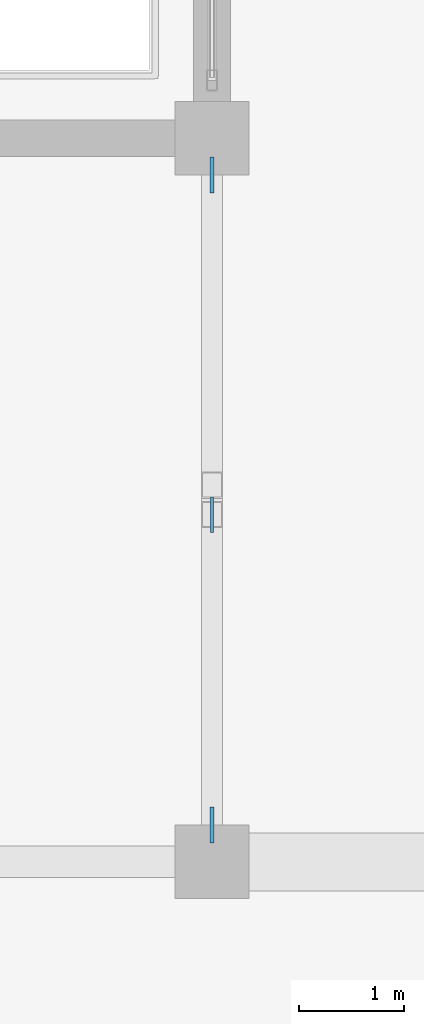
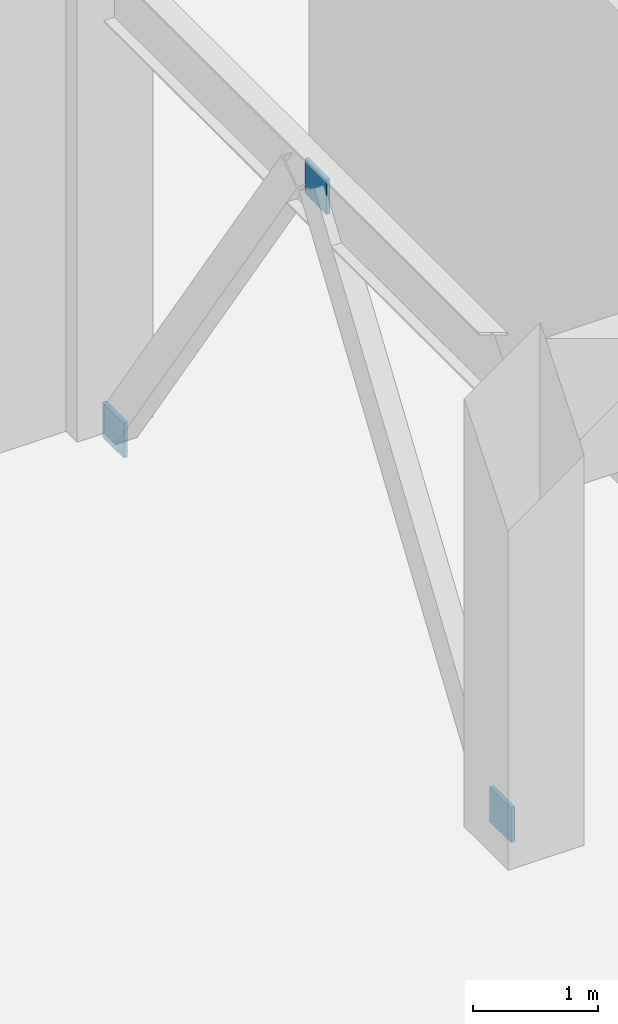
# One storey, part 67 of 94: 3 plates.
"""IFC4 building model written with IfcOpenShell, lengths in metres."""

from ifc_helpers import new_model, si_unit, direction, frame, origin, origin_2d, place, context, subcontext, project, spatial, rectangle, extrude, material, layer, layer_set, type_object, element, save


model = new_model("IFC4")

# Units and contexts
model_context = context("Model", 3, precision=1e-05, world=origin(), true_north=direction((0.0, 1.0)))
body_context = subcontext(model_context, "Body", "Model", "MODEL_VIEW")
ifc_project = project(units=[si_unit("LENGTHUNIT", "METRE"), si_unit("AREAUNIT", "SQUARE_METRE"), si_unit("VOLUMEUNIT", "CUBIC_METRE"), si_unit("PLANEANGLEUNIT", "RADIAN"), si_unit("MASSUNIT", "GRAM", prefix="KILO")], contexts=[model_context])

# Site, building, storey
site_placement = place(None, origin())
site = spatial("IfcSite", under=ifc_project, at=site_placement, CompositionType="ELEMENT")
building_placement = place(site_placement, origin())
building = spatial("IfcBuilding", under=site, at=building_placement, Name="Linyun Crest Stadium", CompositionType="ELEMENT")
storey_placement = place(building_placement, frame((0.0, 0.0, 16.199951171875)))
storey = spatial("IfcBuildingStorey", under=building, at=storey_placement, Name="L04", CompositionType="ELEMENT", Elevation=16.199951171875)

# Plates
ifc_material_1 = material(Name="Steel Q420C", Category="steel")
ifc_layer_1 = layer(ifc_material_1, 0.031982421875)
ifc_layer_set_1 = layer_set([ifc_layer_1], Name="Steel Q420C")
plate_type_1 = type_object("IfcPlateType", Name="EP04", PredefinedType="USERDEFINED", material=ifc_layer_set_1)
plate_placement = place(storey_placement, frame((84.0, -42.701904296875, 4.16015625), z_axis=(0.0, 0.0, 1.0), x_axis=(0.0, 1.0, 0.0)))
element("IfcPlate", 1, at=plate_placement, inside=storey, type_object=plate_type_1, Name="Hollow section cap end plate EP04 481", ObjectType="END PLATE", PredefinedType="USERDEFINED", context=body_context, shape_type="SweptSolid", body=[
    extrude(rectangle(XDim=0.340087890625, YDim=0.031982421875, at=origin_2d()), origin(), (0.0, 0.0, 1.0), 0.340087890625),
])
ifc_material_2 = material(Name="Steel Q420C", Category="steel")
ifc_layer_2 = layer(ifc_material_2, 0.035888671875)
ifc_layer_set_2 = layer_set([ifc_layer_2], Name="Steel Q420C")
plate_type_2 = type_object("IfcPlateType", Name="NP04", PredefinedType="USERDEFINED", material=ifc_layer_set_2)
for number, where, z_axis, x_axis, name in (
    (2, (84.0, -45.64990234375, -0.169921875), (0.0, 0.0, 1.0), (0.0, 1.0, 0.0), "Hollow section cap end plate NP04 480"),
    (3, (84.0, -39.47509765625, -0.169921875), (0.0, 0.0, 1.0), (0.0, 1.0, 0.0), "Hollow section cap end plate NP04 482"),
):
    element("IfcPlate", number, at=place(storey_placement, frame(where, z_axis=z_axis, x_axis=x_axis)), inside=storey, type_object=plate_type_2, Name=name, ObjectType="GUSSET PLATE", PredefinedType="USERDEFINED", context=body_context, shape_type="SweptSolid", body=[
        extrude(rectangle(XDim=0.340087890625, YDim=0.035888671875, at=origin_2d()), origin(), (0.0, 0.0, 1.0), 0.340087890625),
    ])

save(model, "model.ifc")
